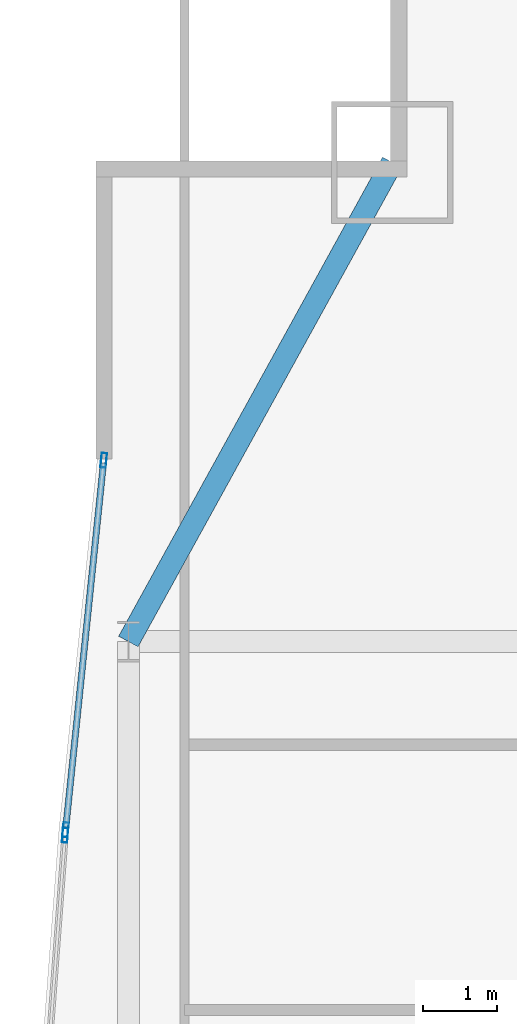
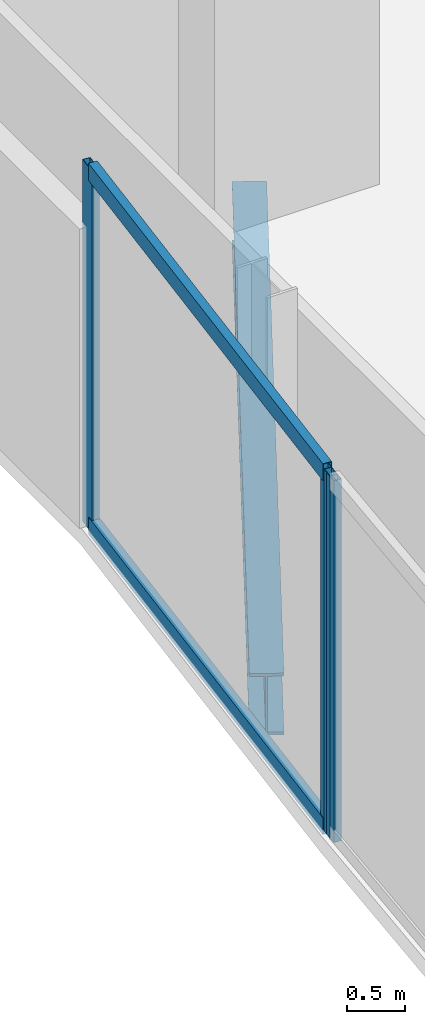
# One storey, part 16 of 35: 5 members, 1 beam, 2 elements without a shape of their own.
"""IFC4 building model written with IfcOpenShell, lengths in metres."""

import ifcopenshell
import ifcopenshell.guid

model = None  # the IFC model being written
_history = None  # IfcOwnerHistory: only IFC2X3 demands one
_inside = {}  # id of a spatial element -> (the spatial element, [elements in it])
_under = {}  # id of a project, library or spatial element -> (it, [spatial elements below it])
_declared = {}  # id of a project -> (the project, [libraries it declares])
_typed = {}  # id of a type object -> (the type object, [elements of that type])
_made_of = {}  # id of a material, layer set ... -> (it, [elements and type objects made of it])


def new_model(schema):
    """Start an empty IFC model of exactly this schema.

    Asked for "IFC4X3", IfcOpenShell would pick the latest addendum, in which some entities
    have other attributes; the version numbers below select the first issue.
    IFC2X3 requires an IfcOwnerHistory on every rooted entity: one is made here for all.
    """
    global model, _history
    if schema == "IFC4X3":
        model = ifcopenshell.file(schema_version=(4, 3, 0, 0))
    else:
        model = ifcopenshell.file(schema=schema)
    _inside.clear()
    _under.clear()
    _declared.clear()
    _typed.clear()
    _made_of.clear()
    _history = None
    if model.schema == "IFC2X3":
        org = make("IfcOrganization", Name="unknown")
        user = make(
            "IfcPersonAndOrganization",
            ThePerson=make("IfcPerson", FamilyName="unknown"),
            TheOrganization=org,
        )
        app = make(
            "IfcApplication",
            ApplicationDeveloper=org,
            Version="unknown",
            ApplicationFullName="unknown",
            ApplicationIdentifier="unknown",
        )
        _history = make(
            "IfcOwnerHistory",
            OwningUser=user,
            OwningApplication=app,
            ChangeAction="ADDED",
            CreationDate=0,
        )
    return model


def make(cls, **values):
    """One entity of the class cls with the attributes given. An attribute that is None is left unset."""
    return model.create_entity(
        cls, **{name: value for name, value in values.items() if value is not None}
    )


def rooted(cls, **values):
    """An entity with a GlobalId (a new one), such as an element, a storey or a relation."""
    return make(cls, GlobalId=ifcopenshell.guid.new(), OwnerHistory=_history, **values)


def si_unit(unit_type, name, prefix=None):
    """IfcSIUnit, for example si_unit("LENGTHUNIT", "METRE", prefix="MILLI")."""
    return make("IfcSIUnit", UnitType=unit_type, Prefix=prefix, Name=name)


def assignment(units):
    """IfcUnitAssignment: the units of a project."""
    return None if units is None else make("IfcUnitAssignment", Units=units)


def point(xyz):
    """IfcCartesianPoint."""
    return None if xyz is None else make("IfcCartesianPoint", Coordinates=xyz)


def direction(xyz):
    """IfcDirection."""
    return None if xyz is None else make("IfcDirection", DirectionRatios=xyz)


def frame(location, z_axis=None, x_axis=None):
    """IfcAxis2Placement3D, a coordinate frame: its origin and axes. An axis left out is left unset."""
    return make(
        "IfcAxis2Placement3D",
        Location=point(location),
        Axis=direction(z_axis),
        RefDirection=direction(x_axis),
    )


def frame_2d(location, x_axis=None):
    """IfcAxis2Placement2D, a coordinate frame in the plane: its origin and x axis."""
    return make(
        "IfcAxis2Placement2D", Location=point(location), RefDirection=direction(x_axis)
    )


def origin():
    """The frame at (0, 0, 0) with its axes left unset."""
    return frame((0.0, 0.0, 0.0))


def origin_2d():
    """The frame at (0, 0) in the plane with its x axis left unset."""
    return frame_2d((0.0, 0.0))


def place(relative_to, where):
    """IfcLocalPlacement: puts the frame where relative to a parent placement (None: the world)."""
    return make(
        "IfcLocalPlacement", PlacementRelTo=relative_to, RelativePlacement=where
    )


def context(
    kind, dimensions, precision=None, world=None, true_north=None, identifier=None
):
    """IfcGeometricRepresentationContext, for example the 3D "Model" context."""
    return make(
        "IfcGeometricRepresentationContext",
        ContextIdentifier=identifier,
        ContextType=kind,
        CoordinateSpaceDimension=dimensions,
        Precision=precision,
        WorldCoordinateSystem=world,
        TrueNorth=true_north,
    )


def subcontext(parent, identifier, kind, view, scale=None):
    """IfcGeometricRepresentationSubContext, for example "Body" below "Model"."""
    return make(
        "IfcGeometricRepresentationSubContext",
        ContextIdentifier=identifier,
        ContextType=kind,
        ParentContext=parent,
        TargetScale=scale,
        TargetView=view,
    )


def project(units=None, contexts=None):
    """IfcProject with its units and contexts."""
    return rooted(
        "IfcProject",
        Name="project",
        RepresentationContexts=contexts,
        UnitsInContext=assignment(units),
    )


def spatial(cls, under=None, at=None, **own):
    """A site, building, storey or space (cls), placed at a placement, below another one or the project."""
    s = rooted(cls, ObjectPlacement=at, **own)
    if under is not None:
        _under.setdefault(under.id(), (under, []))[1].append(s)
    return s


def profile(cls, at=None, kind="AREA", **sizes):
    """A parametric profile (cls). Its sizes go by their IFC names, for example OverallWidth=200.0."""
    return make(cls, ProfileType=kind, Position=at, **sizes)


def hollow_rectangle(**sizes):
    """IfcRectangleHollowProfileDef."""
    return profile("IfcRectangleHollowProfileDef", **sizes)


def i_section(**sizes):
    """IfcIShapeProfileDef."""
    return profile("IfcIShapeProfileDef", **sizes)


def extrude(swept, where, along, depth):
    """IfcExtrudedAreaSolid: the profile swept, set in the frame where, extruded along a direction by depth."""
    return make(
        "IfcExtrudedAreaSolid",
        SweptArea=swept,
        Position=where,
        ExtrudedDirection=direction(along),
        Depth=depth,
    )


def shape(context_of_items, identifier, shape_type, items):
    """IfcShapeRepresentation: the items that make up one representation, for example the "Body"."""
    return make(
        "IfcShapeRepresentation",
        ContextOfItems=context_of_items,
        RepresentationIdentifier=identifier,
        RepresentationType=shape_type,
        Items=items,
    )


def material(Name=None, Category=None):
    """IfcMaterial."""
    return make("IfcMaterial", Name=Name, Category=Category)


def material_profile(
    of_material, cross_section, Name=None, Category=None, Priority=None
):
    """IfcMaterialProfile: a cross section and its material."""
    return make(
        "IfcMaterialProfile",
        Name=Name,
        Material=of_material,
        Profile=cross_section,
        Priority=Priority,
        Category=Category,
    )


def profile_set(profiles, Name=None, composite=None):
    """IfcMaterialProfileSet."""
    return make(
        "IfcMaterialProfileSet",
        Name=Name,
        MaterialProfiles=profiles,
        CompositeProfile=composite,
    )


def made_of(thing, what):
    """Note that an element or type object is made of a material, layer set ...; save() writes the relation."""
    if what is not None:
        _made_of.setdefault(what.id(), (what, []))[1].append(thing)
    return thing


def type_object(cls, material=None, **own):
    """A type object (cls), such as IfcWallType, which elements share."""
    return made_of(rooted(cls, **own), material)


def element(
    cls,
    number,
    at=None,
    inside=None,
    cuts=None,
    type_object=None,
    material=None,
    context=None,
    identifier="Body",
    shape_type=None,
    held_by="IfcProductDefinitionShape",
    body=None,
    shapes=None,
    **own,
):
    """One element of the class cls, such as IfcWall. Its Tag is "e" and its number.

    at: its placement. inside: the storey or other place that contains it. cuts: it is an
    opening in that element (IfcRelVoidsElement). A single representation is given by context,
    identifier, shape_type and body (its items); several are given by shapes. held_by: the class
    of the entity that holds the representations. save() writes the other relations.
    """
    e = rooted(cls, Tag="e%d" % number, ObjectPlacement=at, **own)
    if body is not None:
        shapes = [shape(context, identifier, shape_type, body)]
    if shapes is not None:
        e.Representation = make(held_by, Representations=shapes)
    if inside is not None:
        _inside.setdefault(inside.id(), (inside, []))[1].append(e)
    if cuts is not None:
        rooted(
            "IfcRelVoidsElement", RelatingBuildingElement=cuts, RelatedOpeningElement=e
        )
    if type_object is not None:
        _typed.setdefault(type_object.id(), (type_object, []))[1].append(e)
    return made_of(e, material)


def aggregate(whole, parts):
    """IfcRelAggregates: a whole, such as a stair, and the parts it consists of."""
    return rooted("IfcRelAggregates", RelatingObject=whole, RelatedObjects=parts)


def save(model, path):
    """Write the relations noted so far, then the file.

    IfcRelAggregates (storeys below a building ...), IfcRelContainedInSpatialStructure (elements
    in a storey), IfcRelDefinesByType, IfcRelAssociatesMaterial and IfcRelDeclares: one each for
    every whole, place, type object, material and project.
    """
    for whole, parts in _under.values():
        aggregate(whole, parts)
    for where, things in _inside.values():
        rooted(
            "IfcRelContainedInSpatialStructure",
            RelatedElements=things,
            RelatingStructure=where,
        )
    for kind, things in _typed.values():
        rooted("IfcRelDefinesByType", RelatedObjects=things, RelatingType=kind)
    for what, things in _made_of.values():
        rooted("IfcRelAssociatesMaterial", RelatedObjects=things, RelatingMaterial=what)
    for by, libraries in _declared.values():
        rooted("IfcRelDeclares", RelatingContext=by, RelatedDefinitions=libraries)
    model.write(path)


model = new_model("IFC4")

# Units and contexts
model_context = context("Model", 3, precision=1e-05, world=origin(), true_north=direction((0.0, 1.0)))
body_context = subcontext(model_context, "Body", "Model", "MODEL_VIEW")
ifc_project = project(units=[si_unit("LENGTHUNIT", "METRE"), si_unit("AREAUNIT", "SQUARE_METRE"), si_unit("VOLUMEUNIT", "CUBIC_METRE"), si_unit("PLANEANGLEUNIT", "RADIAN"), si_unit("MASSUNIT", "GRAM", prefix="KILO")], contexts=[model_context])

# Site, building, storey
site_placement = place(None, origin())
site = spatial("IfcSite", under=ifc_project, at=site_placement, CompositionType="ELEMENT")
building_placement = place(site_placement, origin())
building = spatial("IfcBuilding", under=site, at=building_placement, Name="Khoronbel Lancet Exchange", CompositionType="ELEMENT")
storey_placement = place(building_placement, frame((0.0, 0.0, 25.800048828125)))
storey = spatial("IfcBuildingStorey", under=building, at=storey_placement, Name="L05", CompositionType="ELEMENT", Elevation=25.800048828125)

# Beam
ifc_material_1 = material(Name="Steel S355", Category="steel")
ifc_material_profile_1 = material_profile(ifc_material_1, i_section(OverallWidth=0.300048828125, OverallDepth=0.64990234375, WebThickness=0.01611328125, FlangeThickness=0.031005859375, at=origin_2d()), Name="HEB 650")
ifc_profile_set_1 = profile_set([ifc_material_profile_1], Name="Steel S355")
beam_type = type_object("IfcBeamType", Name="BM-BSP1", PredefinedType="SPANDREL", material=ifc_profile_set_1)
beam_placement = place(storey_placement, frame((4.85009765625, 49.699951171875, -0.505126953125), z_axis=(-0.482444051088, -0.875926787791, 0.0), x_axis=(0.875926787791, -0.482444051088, 0.0)))
element("IfcBeam", 1, at=beam_placement, inside=storey, type_object=beam_type, Name="Level L05 perimeter spandrel beam SP14", PredefinedType="SPANDREL", context=body_context, shape_type="SweptSolid", body=[
    extrude(i_section(OverallWidth=0.300048828125, OverallDepth=0.64990234375, WebThickness=0.01611328125, FlangeThickness=0.031005859375, at=origin_2d()), origin(), (0.0, 0.0, 1.0), 7.420654296875),
])

# Curtain wall, member
ifc_material_2 = material(Name="Low-E Solar Control Insulating Glass", Category="glass")
curtain_wall_type = type_object("IfcCurtainWallType", Name="CW-4", PredefinedType="NOTDEFINED", material=ifc_material_2)
curtain_wall_1_placement = place(storey_placement, origin())
curtain_wall_1 = element("IfcCurtainWall", 2, at=curtain_wall_1_placement, inside=storey, type_object=curtain_wall_type, Name="Unitised curtain wall CW-L05-E08", PredefinedType="NOTDEFINED")
ifc_material_3 = material(Name="Bronze-Anodised Aluminium 6063-T6", Category="aluminium")
ifc_material_profile_2 = material_profile(ifc_material_3, hollow_rectangle(XDim=0.074951171875, YDim=0.199951171875, WallThickness=0.0048828125, at=origin_2d()), Name="ALU MULLION 75x200")
ifc_profile_set_2 = profile_set([ifc_material_profile_2], Name="Bronze-Anodised Aluminium 6063-T6")
member_type_1 = type_object("IfcMemberType", Name="MEM-CWM2", PredefinedType="MULLION", material=ifc_profile_set_2)
member_1_placement = place(storey_placement, frame((0.411865234375, 40.5712890625, 0.0), z_axis=(0.0, 0.0, 1.0), x_axis=(-0.997153744129, 0.075395030141, 0.0)))
member_1 = element("IfcMember", 3, at=member_1_placement, type_object=member_type_1, Name="CW4 mullion 2", PredefinedType="MULLION", context=body_context, shape_type="SweptSolid", body=[
    extrude(hollow_rectangle(XDim=0.074951171875, YDim=0.199951171875, WallThickness=0.0048828125, at=origin_2d()), origin(), (0.0, 0.0, 1.0), 3.820068359375),
])
aggregate(curtain_wall_1, [member_1])

# Curtain wall, members
curtain_wall_2_placement = place(storey_placement, origin())
curtain_wall_2 = element("IfcCurtainWall", 4, at=curtain_wall_2_placement, inside=storey, type_object=curtain_wall_type, Name="Unitised curtain wall CW-L05-E09", PredefinedType="NOTDEFINED")
member_2_placement = place(storey_placement, frame((0.41845703125, 40.64599609375, 0.0), z_axis=(0.0, 0.0, 1.0), x_axis=(-0.994709998998, 0.102723015403, 0.0)))
member_2 = element("IfcMember", 5, at=member_2_placement, type_object=member_type_1, Name="CW4 mullion 1", PredefinedType="MULLION", context=body_context, shape_type="SweptSolid", body=[
    extrude(hollow_rectangle(XDim=0.074951171875, YDim=0.199951171875, WallThickness=0.0048828125, at=origin_2d()), origin(), (0.0, 0.0, 1.0), 3.820068359375),
])
member_3_placement = place(storey_placement, frame((0.93603515625, 45.658203125, 0.0), z_axis=(0.0, 0.0, 1.0), x_axis=(-0.994709998998, 0.102723015403, 0.0)))
member_3 = element("IfcMember", 6, at=member_3_placement, type_object=member_type_1, Name="CW4 mullion 2", PredefinedType="MULLION", context=body_context, shape_type="SweptSolid", body=[
    extrude(hollow_rectangle(XDim=0.074951171875, YDim=0.199951171875, WallThickness=0.0048828125, at=origin_2d()), origin(), (0.0, 0.0, 1.0), 3.820068359375),
])
ifc_material_profile_3 = material_profile(ifc_material_3, hollow_rectangle(XDim=0.0849609375, YDim=0.179931640625, WallThickness=0.0048828125, at=origin_2d()), Name="ALU TRANSOM 85x180")
ifc_profile_set_3 = profile_set([ifc_material_profile_3], Name="Bronze-Anodised Aluminium 6063-T6")
member_type_2 = type_object("IfcMemberType", Name="MEM-CWT1", PredefinedType="USERDEFINED", material=ifc_profile_set_3)
member_4_placement = place(storey_placement, frame((0.42236328125, 40.683349609375, 0.04248046875), z_axis=(0.102746446428, 0.994707579013, 0.0), x_axis=(-0.994707579013, 0.102746446428, 0.0)))
member_4 = element("IfcMember", 7, at=member_4_placement, type_object=member_type_2, Name="CW4 transom 1.1", ObjectType="TRANSOM", PredefinedType="USERDEFINED", context=body_context, shape_type="SweptSolid", body=[
    extrude(hollow_rectangle(XDim=0.0849609375, YDim=0.179931640625, WallThickness=0.0048828125, at=origin_2d()), origin(), (0.0, 0.0, 1.0), 4.9638671875),
])
member_5_placement = place(storey_placement, frame((0.42236328125, 40.683349609375, 3.77734375), z_axis=(0.102746446428, 0.994707579013, 0.0), x_axis=(-0.994707579013, 0.102746446428, 0.0)))
member_5 = element("IfcMember", 8, at=member_5_placement, type_object=member_type_2, Name="CW4 transom 1.2", ObjectType="TRANSOM", PredefinedType="USERDEFINED", context=body_context, shape_type="SweptSolid", body=[
    extrude(hollow_rectangle(XDim=0.0849609375, YDim=0.179931640625, WallThickness=0.0048828125, at=origin_2d()), origin(), (0.0, 0.0, 1.0), 4.9638671875),
])
aggregate(curtain_wall_2, [member_2, member_3, member_4, member_5])

save(model, "model.ifc")
